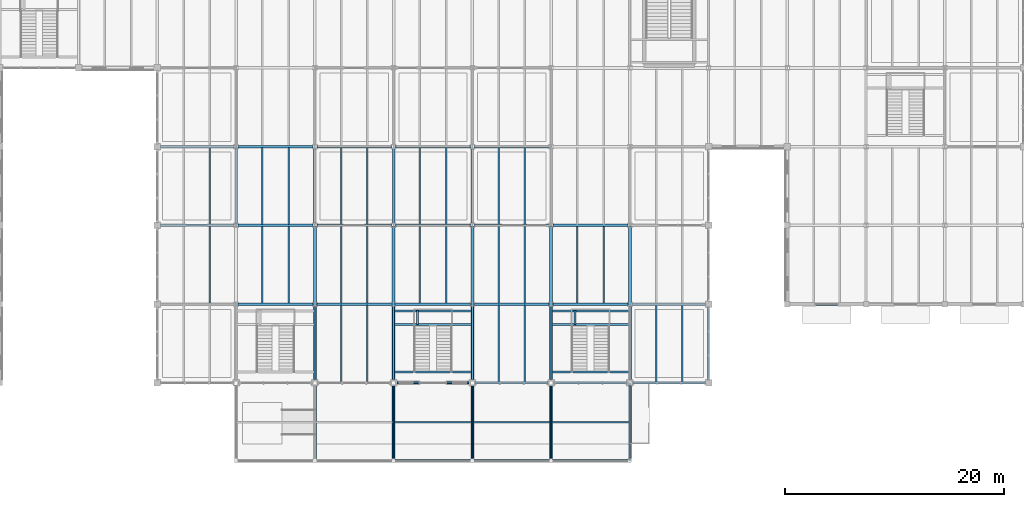
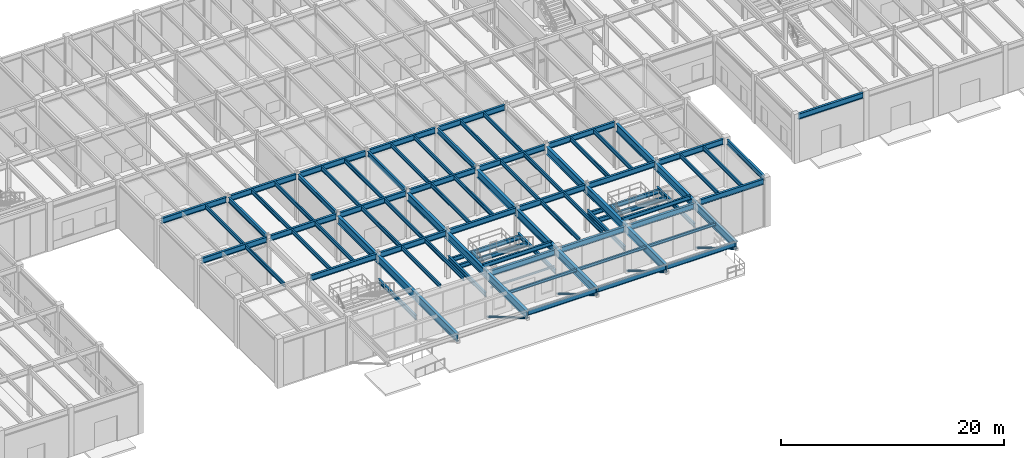
# One storey, part 21 of 97: 78 beams, 4 members.
"""IFC4 building model written with IfcOpenShell, lengths in metres."""

import ifcopenshell
import ifcopenshell.guid

model = None  # the IFC model being written
_history = None  # IfcOwnerHistory: only IFC2X3 demands one
_inside = {}  # id of a spatial element -> (the spatial element, [elements in it])
_under = {}  # id of a project, library or spatial element -> (it, [spatial elements below it])
_declared = {}  # id of a project -> (the project, [libraries it declares])
_typed = {}  # id of a type object -> (the type object, [elements of that type])
_made_of = {}  # id of a material, layer set ... -> (it, [elements and type objects made of it])


def new_model(schema):
    """Start an empty IFC model of exactly this schema.

    Asked for "IFC4X3", IfcOpenShell would pick the latest addendum, in which some entities
    have other attributes; the version numbers below select the first issue.
    IFC2X3 requires an IfcOwnerHistory on every rooted entity: one is made here for all.
    """
    global model, _history
    if schema == "IFC4X3":
        model = ifcopenshell.file(schema_version=(4, 3, 0, 0))
    else:
        model = ifcopenshell.file(schema=schema)
    _inside.clear()
    _under.clear()
    _declared.clear()
    _typed.clear()
    _made_of.clear()
    _history = None
    if model.schema == "IFC2X3":
        org = make("IfcOrganization", Name="unknown")
        user = make(
            "IfcPersonAndOrganization",
            ThePerson=make("IfcPerson", FamilyName="unknown"),
            TheOrganization=org,
        )
        app = make(
            "IfcApplication",
            ApplicationDeveloper=org,
            Version="unknown",
            ApplicationFullName="unknown",
            ApplicationIdentifier="unknown",
        )
        _history = make(
            "IfcOwnerHistory",
            OwningUser=user,
            OwningApplication=app,
            ChangeAction="ADDED",
            CreationDate=0,
        )
    return model


def make(cls, **values):
    """One entity of the class cls with the attributes given. An attribute that is None is left unset."""
    return model.create_entity(
        cls, **{name: value for name, value in values.items() if value is not None}
    )


def rooted(cls, **values):
    """An entity with a GlobalId (a new one), such as an element, a storey or a relation."""
    return make(cls, GlobalId=ifcopenshell.guid.new(), OwnerHistory=_history, **values)


def si_unit(unit_type, name, prefix=None):
    """IfcSIUnit, for example si_unit("LENGTHUNIT", "METRE", prefix="MILLI")."""
    return make("IfcSIUnit", UnitType=unit_type, Prefix=prefix, Name=name)


def assignment(units):
    """IfcUnitAssignment: the units of a project."""
    return None if units is None else make("IfcUnitAssignment", Units=units)


def point(xyz):
    """IfcCartesianPoint."""
    return None if xyz is None else make("IfcCartesianPoint", Coordinates=xyz)


def direction(xyz):
    """IfcDirection."""
    return None if xyz is None else make("IfcDirection", DirectionRatios=xyz)


def frame(location, z_axis=None, x_axis=None):
    """IfcAxis2Placement3D, a coordinate frame: its origin and axes. An axis left out is left unset."""
    return make(
        "IfcAxis2Placement3D",
        Location=point(location),
        Axis=direction(z_axis),
        RefDirection=direction(x_axis),
    )


def frame_2d(location, x_axis=None):
    """IfcAxis2Placement2D, a coordinate frame in the plane: its origin and x axis."""
    return make(
        "IfcAxis2Placement2D", Location=point(location), RefDirection=direction(x_axis)
    )


def origin():
    """The frame at (0, 0, 0) with its axes left unset."""
    return frame((0.0, 0.0, 0.0))


def origin_2d():
    """The frame at (0, 0) in the plane with its x axis left unset."""
    return frame_2d((0.0, 0.0))


def place(relative_to, where):
    """IfcLocalPlacement: puts the frame where relative to a parent placement (None: the world)."""
    return make(
        "IfcLocalPlacement", PlacementRelTo=relative_to, RelativePlacement=where
    )


def context(
    kind, dimensions, precision=None, world=None, true_north=None, identifier=None
):
    """IfcGeometricRepresentationContext, for example the 3D "Model" context."""
    return make(
        "IfcGeometricRepresentationContext",
        ContextIdentifier=identifier,
        ContextType=kind,
        CoordinateSpaceDimension=dimensions,
        Precision=precision,
        WorldCoordinateSystem=world,
        TrueNorth=true_north,
    )


def subcontext(parent, identifier, kind, view, scale=None):
    """IfcGeometricRepresentationSubContext, for example "Body" below "Model"."""
    return make(
        "IfcGeometricRepresentationSubContext",
        ContextIdentifier=identifier,
        ContextType=kind,
        ParentContext=parent,
        TargetScale=scale,
        TargetView=view,
    )


def project(units=None, contexts=None):
    """IfcProject with its units and contexts."""
    return rooted(
        "IfcProject",
        Name="project",
        RepresentationContexts=contexts,
        UnitsInContext=assignment(units),
    )


def spatial(cls, under=None, at=None, **own):
    """A site, building, storey or space (cls), placed at a placement, below another one or the project."""
    s = rooted(cls, ObjectPlacement=at, **own)
    if under is not None:
        _under.setdefault(under.id(), (under, []))[1].append(s)
    return s


def profile(cls, at=None, kind="AREA", **sizes):
    """A parametric profile (cls). Its sizes go by their IFC names, for example OverallWidth=200.0."""
    return make(cls, ProfileType=kind, Position=at, **sizes)


def hollow_circle(**sizes):
    """IfcCircleHollowProfileDef."""
    return profile("IfcCircleHollowProfileDef", **sizes)


def i_section(**sizes):
    """IfcIShapeProfileDef."""
    return profile("IfcIShapeProfileDef", **sizes)


def extrude(swept, where, along, depth):
    """IfcExtrudedAreaSolid: the profile swept, set in the frame where, extruded along a direction by depth."""
    return make(
        "IfcExtrudedAreaSolid",
        SweptArea=swept,
        Position=where,
        ExtrudedDirection=direction(along),
        Depth=depth,
    )


def shape(context_of_items, identifier, shape_type, items):
    """IfcShapeRepresentation: the items that make up one representation, for example the "Body"."""
    return make(
        "IfcShapeRepresentation",
        ContextOfItems=context_of_items,
        RepresentationIdentifier=identifier,
        RepresentationType=shape_type,
        Items=items,
    )


def material(Name=None, Category=None):
    """IfcMaterial."""
    return make("IfcMaterial", Name=Name, Category=Category)


def material_profile(
    of_material, cross_section, Name=None, Category=None, Priority=None
):
    """IfcMaterialProfile: a cross section and its material."""
    return make(
        "IfcMaterialProfile",
        Name=Name,
        Material=of_material,
        Profile=cross_section,
        Priority=Priority,
        Category=Category,
    )


def profile_set(profiles, Name=None, composite=None):
    """IfcMaterialProfileSet."""
    return make(
        "IfcMaterialProfileSet",
        Name=Name,
        MaterialProfiles=profiles,
        CompositeProfile=composite,
    )


def made_of(thing, what):
    """Note that an element or type object is made of a material, layer set ...; save() writes the relation."""
    if what is not None:
        _made_of.setdefault(what.id(), (what, []))[1].append(thing)
    return thing


def type_object(cls, material=None, **own):
    """A type object (cls), such as IfcWallType, which elements share."""
    return made_of(rooted(cls, **own), material)


def element(
    cls,
    number,
    at=None,
    inside=None,
    cuts=None,
    type_object=None,
    material=None,
    context=None,
    identifier="Body",
    shape_type=None,
    held_by="IfcProductDefinitionShape",
    body=None,
    shapes=None,
    **own,
):
    """One element of the class cls, such as IfcWall. Its Tag is "e" and its number.

    at: its placement. inside: the storey or other place that contains it. cuts: it is an
    opening in that element (IfcRelVoidsElement). A single representation is given by context,
    identifier, shape_type and body (its items); several are given by shapes. held_by: the class
    of the entity that holds the representations. save() writes the other relations.
    """
    e = rooted(cls, Tag="e%d" % number, ObjectPlacement=at, **own)
    if body is not None:
        shapes = [shape(context, identifier, shape_type, body)]
    if shapes is not None:
        e.Representation = make(held_by, Representations=shapes)
    if inside is not None:
        _inside.setdefault(inside.id(), (inside, []))[1].append(e)
    if cuts is not None:
        rooted(
            "IfcRelVoidsElement", RelatingBuildingElement=cuts, RelatedOpeningElement=e
        )
    if type_object is not None:
        _typed.setdefault(type_object.id(), (type_object, []))[1].append(e)
    return made_of(e, material)


def aggregate(whole, parts):
    """IfcRelAggregates: a whole, such as a stair, and the parts it consists of."""
    return rooted("IfcRelAggregates", RelatingObject=whole, RelatedObjects=parts)


def save(model, path):
    """Write the relations noted so far, then the file.

    IfcRelAggregates (storeys below a building ...), IfcRelContainedInSpatialStructure (elements
    in a storey), IfcRelDefinesByType, IfcRelAssociatesMaterial and IfcRelDeclares: one each for
    every whole, place, type object, material and project.
    """
    for whole, parts in _under.values():
        aggregate(whole, parts)
    for where, things in _inside.values():
        rooted(
            "IfcRelContainedInSpatialStructure",
            RelatedElements=things,
            RelatingStructure=where,
        )
    for kind, things in _typed.values():
        rooted("IfcRelDefinesByType", RelatedObjects=things, RelatingType=kind)
    for what, things in _made_of.values():
        rooted("IfcRelAssociatesMaterial", RelatedObjects=things, RelatingMaterial=what)
    for by, libraries in _declared.values():
        rooted("IfcRelDeclares", RelatingContext=by, RelatedDefinitions=libraries)
    model.write(path)


model = new_model("IFC4")

# Units and contexts
model_context = context("Model", 3, precision=1e-05, world=origin(), true_north=direction((0.0, 1.0)))
body_context = subcontext(model_context, "Body", "Model", "MODEL_VIEW")
ifc_project = project(units=[si_unit("LENGTHUNIT", "METRE"), si_unit("AREAUNIT", "SQUARE_METRE"), si_unit("VOLUMEUNIT", "CUBIC_METRE"), si_unit("PLANEANGLEUNIT", "RADIAN"), si_unit("MASSUNIT", "GRAM", prefix="KILO")], contexts=[model_context])

# Site, building, storey
site_placement = place(None, origin())
site = spatial("IfcSite", under=ifc_project, at=site_placement, CompositionType="ELEMENT")
building_placement = place(site_placement, origin())
building = spatial("IfcBuilding", under=site, at=building_placement, Name="Sillqori Civic Hall", CompositionType="ELEMENT")
storey_placement = place(building_placement, origin())
storey = spatial("IfcBuildingStorey", under=building, at=storey_placement, Name="L01", CompositionType="ELEMENT", Elevation=0.0)

# Beams
ifc_material_1 = material(Name="Steel ASTM A992", Category="steel")
ifc_material_profile_1 = material_profile(ifc_material_1, i_section(OverallWidth=0.19091796875, OverallDepth=0.4599609375, WebThickness=0.010009765625, FlangeThickness=0.01611328125, FilletRadius=0.012939453125, at=origin_2d()), Name="W18X55")
ifc_profile_set_1 = profile_set([ifc_material_profile_1], Name="Steel ASTM A992")
beam_type_1 = type_object("IfcBeamType", Name="BM-W18X55", PredefinedType="BEAM", material=ifc_profile_set_1)
for number, where, z_axis, x_axis, name in (
    (1, (79.199951171875, 7.493896484375, 2.27490234375), (0.0, 1.0, 0.0), (-1.0, 0.0, 0.0), "Wedge Hall South-West Grand Stair L01-L02 landing stringer girder E"),
    (2, (100.800048828125, 7.493896484375, 2.27490234375), (0.0, 1.0, 0.0), (-1.0, 0.0, 0.0), "Wedge Hall South-East Grand Stair L01-L02 landing stringer girder W"),
    (3, (108.0, 7.493896484375, 2.27490234375), (0.0, 1.0, 0.0), (-1.0, 0.0, 0.0), "Wedge Hall South-East Grand Stair L01-L02 landing stringer girder E"),
):
    element("IfcBeam", number, at=place(storey_placement, frame(where, z_axis=z_axis, x_axis=x_axis)), inside=storey, type_object=beam_type_1, Name=name, PredefinedType="BEAM", context=body_context, shape_type="SweptSolid", body=[
        extrude(i_section(OverallWidth=0.19091796875, OverallDepth=0.4599609375, WebThickness=0.010009765625, FlangeThickness=0.01611328125, FilletRadius=0.012939453125, at=origin_2d()), origin(), (0.0, 0.0, 1.0), 6.72412109375),
    ])
for number, where, z_axis, x_axis, name in (
    (4, (100.840087890625, 12.550048828125, 2.27490234375), (1.0, 0.0, 0.0), (0.0, 1.0, 0.0), "Wedge Hall South-East Grand Stair L01-L02 half-landing cross trimmer 1"),
    (5, (100.840087890625, 13.780029296875, 2.27490234375), (1.0, 0.0, 0.0), (0.0, 1.0, 0.0), "Wedge Hall South-East Grand Stair L01-L02 half-landing cross trimmer 2"),
):
    element("IfcBeam", number, at=place(storey_placement, frame(where, z_axis=z_axis, x_axis=x_axis)), inside=storey, type_object=beam_type_1, Name=name, PredefinedType="BEAM", context=body_context, shape_type="SweptSolid", body=[
        extrude(i_section(OverallWidth=0.19091796875, OverallDepth=0.4599609375, WebThickness=0.010009765625, FlangeThickness=0.01611328125, FilletRadius=0.012939453125, at=origin_2d()), origin(), (0.0, 0.0, 1.0), 7.119873046875),
    ])
beam_1_placement = place(storey_placement, frame((103.0, 12.52001953125, 2.27490234375), z_axis=(0.0, 1.0, 0.0), x_axis=(-1.0, 0.0, 0.0)))
element("IfcBeam", 6, at=beam_1_placement, inside=storey, type_object=beam_type_1, Name="Wedge Hall South-East Grand Stair L01-L02 half-landing spine rib", PredefinedType="BEAM", context=body_context, shape_type="SweptSolid", body=[
    extrude(i_section(OverallWidth=0.19091796875, OverallDepth=0.4599609375, WebThickness=0.010009765625, FlangeThickness=0.01611328125, FilletRadius=0.012939453125, at=origin_2d()), origin(), (0.0, 0.0, 1.0), 1.2900390625),
])
beam_2_placement = place(storey_placement, frame((100.840087890625, 8.199951171875, 4.97509765625), z_axis=(1.0, 0.0, 0.0), x_axis=(0.0, 1.0, 0.0)))
element("IfcBeam", 7, at=beam_2_placement, inside=storey, type_object=beam_type_1, Name="Wedge Hall South-East Grand Stair L01-L02 upper arrival trimmer beam", PredefinedType="BEAM", context=body_context, shape_type="SweptSolid", body=[
    extrude(i_section(OverallWidth=0.19091796875, OverallDepth=0.4599609375, WebThickness=0.010009765625, FlangeThickness=0.01611328125, FilletRadius=0.012939453125, at=origin_2d()), origin(), (0.0, 0.0, 1.0), 7.119873046875),
])
for number, where, z_axis, x_axis, name in (
    (8, (86.39990234375, 7.493896484375, 2.27490234375), (0.0, 1.0, 0.0), (-1.0, 0.0, 0.0), "Citizens Service Central Stair L01-L02 landing stringer girder W"),
    (9, (93.60009765625, 7.493896484375, 2.27490234375), (0.0, 1.0, 0.0), (-1.0, 0.0, 0.0), "Citizens Service Central Stair L01-L02 landing stringer girder E"),
):
    element("IfcBeam", number, at=place(storey_placement, frame(where, z_axis=z_axis, x_axis=x_axis)), inside=storey, type_object=beam_type_1, Name=name, PredefinedType="BEAM", context=body_context, shape_type="SweptSolid", body=[
        extrude(i_section(OverallWidth=0.19091796875, OverallDepth=0.4599609375, WebThickness=0.010009765625, FlangeThickness=0.01611328125, FilletRadius=0.012939453125, at=origin_2d()), origin(), (0.0, 0.0, 1.0), 6.72412109375),
    ])
for number, where, z_axis, x_axis, name in (
    (10, (86.43994140625, 12.550048828125, 2.27490234375), (1.0, 0.0, 0.0), (0.0, 1.0, 0.0), "Citizens Service Central Stair L01-L02 half-landing cross trimmer 1"),
    (11, (86.43994140625, 13.780029296875, 2.27490234375), (1.0, 0.0, 0.0), (0.0, 1.0, 0.0), "Citizens Service Central Stair L01-L02 half-landing cross trimmer 2"),
):
    element("IfcBeam", number, at=place(storey_placement, frame(where, z_axis=z_axis, x_axis=x_axis)), inside=storey, type_object=beam_type_1, Name=name, PredefinedType="BEAM", context=body_context, shape_type="SweptSolid", body=[
        extrude(i_section(OverallWidth=0.19091796875, OverallDepth=0.4599609375, WebThickness=0.010009765625, FlangeThickness=0.01611328125, FilletRadius=0.012939453125, at=origin_2d()), origin(), (0.0, 0.0, 1.0), 7.1201171875),
    ])
beam_3_placement = place(storey_placement, frame((88.60009765625, 12.52001953125, 2.27490234375), z_axis=(0.0, 1.0, 0.0), x_axis=(-1.0, 0.0, 0.0)))
element("IfcBeam", 12, at=beam_3_placement, inside=storey, type_object=beam_type_1, Name="Citizens Service Central Stair L01-L02 half-landing spine rib", PredefinedType="BEAM", context=body_context, shape_type="SweptSolid", body=[
    extrude(i_section(OverallWidth=0.19091796875, OverallDepth=0.4599609375, WebThickness=0.010009765625, FlangeThickness=0.01611328125, FilletRadius=0.012939453125, at=origin_2d()), origin(), (0.0, 0.0, 1.0), 1.2900390625),
])
beam_4_placement = place(storey_placement, frame((86.43994140625, 8.199951171875, 4.97509765625), z_axis=(1.0, 0.0, 0.0), x_axis=(0.0, 1.0, 0.0)))
element("IfcBeam", 13, at=beam_4_placement, inside=storey, type_object=beam_type_1, Name="Citizens Service Central Stair L01-L02 upper arrival trimmer beam", PredefinedType="BEAM", context=body_context, shape_type="SweptSolid", body=[
    extrude(i_section(OverallWidth=0.19091796875, OverallDepth=0.4599609375, WebThickness=0.010009765625, FlangeThickness=0.01611328125, FilletRadius=0.012939453125, at=origin_2d()), origin(), (0.0, 0.0, 1.0), 7.1201171875),
])
ifc_material_profile_2 = material_profile(ifc_material_1, i_section(OverallWidth=0.2099609375, OverallDepth=0.532958984375, WebThickness=0.01025390625, FlangeThickness=0.015625, FilletRadius=0.013916015625, at=origin_2d()), Name="W21X62")
ifc_profile_set_2 = profile_set([ifc_material_profile_2], Name="Steel ASTM A992")
beam_type_2 = type_object("IfcBeamType", Name="BM-W21X62", PredefinedType="BEAM", material=ifc_profile_set_2)
for number, where, z_axis, x_axis, name in (
    (14, (72.0, 21.781982421875, 4.93359375), (0.0, 1.0, 0.0), (-1.0, 0.0, 0.0), "L01 girder Y 10-3"),
    (15, (79.199951171875, 21.781982421875, 4.93359375), (0.0, 1.0, 0.0), (-1.0, 0.0, 0.0), "L01 girder Y 11-3"),
    (16, (86.39990234375, 21.781982421875, 4.93359375), (0.0, 1.0, 0.0), (-1.0, 0.0, 0.0), "L01 girder Y 12-3"),
    (17, (93.60009765625, 21.781982421875, 4.93359375), (0.0, 1.0, 0.0), (-1.0, 0.0, 0.0), "L01 girder Y 13-3"),
):
    element("IfcBeam", number, at=place(storey_placement, frame(where, z_axis=z_axis, x_axis=x_axis)), inside=storey, type_object=beam_type_2, Name=name, PredefinedType="BEAM", context=body_context, shape_type="SweptSolid", body=[
        extrude(i_section(OverallWidth=0.2099609375, OverallDepth=0.532958984375, WebThickness=0.01025390625, FlangeThickness=0.015625, FilletRadius=0.013916015625, at=origin_2d()), origin(), (0.0, 0.0, 1.0), 6.8359375),
    ])
beam_5_placement = place(storey_placement, frame((115.199951171875, 7.493896484375, 4.93359375), z_axis=(0.0, 1.0, 0.0), x_axis=(-1.0, 0.0, 0.0)))
element("IfcBeam", 18, at=beam_5_placement, inside=storey, type_object=beam_type_2, Name="L01 girder Y 16-1", PredefinedType="BEAM", context=body_context, shape_type="SweptSolid", body=[
    extrude(i_section(OverallWidth=0.2099609375, OverallDepth=0.532958984375, WebThickness=0.01025390625, FlangeThickness=0.015625, FilletRadius=0.013916015625, at=origin_2d()), origin(), (0.0, 0.0, 1.0), 6.612060546875),
])
ifc_material_profile_3 = material_profile(ifc_material_1, i_section(OverallWidth=0.22802734375, OverallDepth=0.60205078125, WebThickness=0.010498046875, FlangeThickness=0.014892578125, FilletRadius=0.014892578125, at=origin_2d()), Name="W24X68")
ifc_profile_set_3 = profile_set([ifc_material_profile_3], Name="Steel ASTM A992")
beam_type_3 = type_object("IfcBeamType", Name="BM-W24X68", PredefinedType="BEAM", material=ifc_profile_set_3)
for number, where, z_axis, x_axis, name in (
    (19, (65.093994140625, 21.60009765625, 4.89892578125), (1.0, 0.0, 0.0), (0.0, 1.0, 0.0), "L01 girder X 9-3"),
    (20, (65.093994140625, 28.800048828125, 4.89892578125), (1.0, 0.0, 0.0), (0.0, 1.0, 0.0), "L01 girder X 9-4"),
):
    element("IfcBeam", number, at=place(storey_placement, frame(where, z_axis=z_axis, x_axis=x_axis)), inside=storey, type_object=beam_type_3, Name=name, PredefinedType="BEAM", context=body_context, shape_type="SweptSolid", body=[
        extrude(i_section(OverallWidth=0.22802734375, OverallDepth=0.60205078125, WebThickness=0.010498046875, FlangeThickness=0.014892578125, FilletRadius=0.014892578125, at=origin_2d()), origin(), (0.0, 0.0, 1.0), 6.715087890625),
    ])
for number, where, z_axis, x_axis, name in (
    (21, (72.19091796875, 14.39990234375, 4.89892578125), (1.0, 0.0, 0.0), (0.0, 1.0, 0.0), "L01 girder X 10-2"),
    (22, (72.19091796875, 21.60009765625, 4.89892578125), (1.0, 0.0, 0.0), (0.0, 1.0, 0.0), "L01 girder X 10-3"),
    (23, (72.19091796875, 28.800048828125, 4.89892578125), (1.0, 0.0, 0.0), (0.0, 1.0, 0.0), "L01 girder X 10-4"),
):
    element("IfcBeam", number, at=place(storey_placement, frame(where, z_axis=z_axis, x_axis=x_axis)), inside=storey, type_object=beam_type_3, Name=name, PredefinedType="BEAM", context=body_context, shape_type="SweptSolid", body=[
        extrude(i_section(OverallWidth=0.22802734375, OverallDepth=0.60205078125, WebThickness=0.010498046875, FlangeThickness=0.014892578125, FilletRadius=0.014892578125, at=origin_2d()), origin(), (0.0, 0.0, 1.0), 6.818115234375),
    ])
for number, where, z_axis, x_axis, name in (
    (24, (79.39111328125, 14.39990234375, 4.89892578125), (1.0, 0.0, 0.0), (0.0, 1.0, 0.0), "L01 girder X 11-2"),
    (25, (79.39111328125, 21.60009765625, 4.89892578125), (1.0, 0.0, 0.0), (0.0, 1.0, 0.0), "L01 girder X 11-3"),
    (26, (79.39111328125, 28.800048828125, 4.89892578125), (1.0, 0.0, 0.0), (0.0, 1.0, 0.0), "L01 girder X 11-4"),
):
    element("IfcBeam", number, at=place(storey_placement, frame(where, z_axis=z_axis, x_axis=x_axis)), inside=storey, type_object=beam_type_3, Name=name, PredefinedType="BEAM", context=body_context, shape_type="SweptSolid", body=[
        extrude(i_section(OverallWidth=0.22802734375, OverallDepth=0.60205078125, WebThickness=0.010498046875, FlangeThickness=0.014892578125, FilletRadius=0.014892578125, at=origin_2d()), origin(), (0.0, 0.0, 1.0), 6.81787109375),
    ])
beam_6_placement = place(storey_placement, frame((86.694091796875, 7.199951171875, 4.718994140625), z_axis=(1.0, 0.0, 0.0), x_axis=(0.0, 1.0, 0.0)))
element("IfcBeam", 27, at=beam_6_placement, inside=storey, type_object=beam_type_3, Name="L01 girder X 12-1", PredefinedType="BEAM", context=body_context, shape_type="SweptSolid", body=[
    extrude(i_section(OverallWidth=0.22802734375, OverallDepth=0.60205078125, WebThickness=0.010498046875, FlangeThickness=0.014892578125, FilletRadius=0.014892578125, at=origin_2d()), origin(), (0.0, 0.0, 1.0), 6.61181640625),
])
for number, where, z_axis, x_axis, name in (
    (28, (86.591064453125, 14.39990234375, 4.89892578125), (1.0, 0.0, 0.0), (0.0, 1.0, 0.0), "L01 girder X 12-2"),
    (29, (86.591064453125, 21.60009765625, 4.89892578125), (1.0, 0.0, 0.0), (0.0, 1.0, 0.0), "L01 girder X 12-3"),
    (30, (86.591064453125, 28.800048828125, 4.89892578125), (1.0, 0.0, 0.0), (0.0, 1.0, 0.0), "L01 girder X 12-4"),
):
    element("IfcBeam", number, at=place(storey_placement, frame(where, z_axis=z_axis, x_axis=x_axis)), inside=storey, type_object=beam_type_3, Name=name, PredefinedType="BEAM", context=body_context, shape_type="SweptSolid", body=[
        extrude(i_section(OverallWidth=0.22802734375, OverallDepth=0.60205078125, WebThickness=0.010498046875, FlangeThickness=0.014892578125, FilletRadius=0.014892578125, at=origin_2d()), origin(), (0.0, 0.0, 1.0), 6.81787109375),
    ])
beam_7_placement = place(storey_placement, frame((93.89404296875, 7.199951171875, 4.718994140625), z_axis=(1.0, 0.0, 0.0), x_axis=(0.0, 1.0, 0.0)))
element("IfcBeam", 31, at=beam_7_placement, inside=storey, type_object=beam_type_3, Name="L01 girder X 13-1", PredefinedType="BEAM", context=body_context, shape_type="SweptSolid", body=[
    extrude(i_section(OverallWidth=0.22802734375, OverallDepth=0.60205078125, WebThickness=0.010498046875, FlangeThickness=0.014892578125, FilletRadius=0.014892578125, at=origin_2d()), origin(), (0.0, 0.0, 1.0), 6.612060546875),
])
for number, where, z_axis, x_axis, name in (
    (32, (93.791015625, 14.39990234375, 4.89892578125), (1.0, 0.0, 0.0), (0.0, 1.0, 0.0), "L01 girder X 13-2"),
    (33, (93.791015625, 21.60009765625, 4.89892578125), (1.0, 0.0, 0.0), (0.0, 1.0, 0.0), "L01 girder X 13-3"),
    (34, (93.791015625, 28.800048828125, 4.89892578125), (1.0, 0.0, 0.0), (0.0, 1.0, 0.0), "L01 girder X 13-4"),
):
    element("IfcBeam", number, at=place(storey_placement, frame(where, z_axis=z_axis, x_axis=x_axis)), inside=storey, type_object=beam_type_3, Name=name, PredefinedType="BEAM", context=body_context, shape_type="SweptSolid", body=[
        extrude(i_section(OverallWidth=0.22802734375, OverallDepth=0.60205078125, WebThickness=0.010498046875, FlangeThickness=0.014892578125, FilletRadius=0.014892578125, at=origin_2d()), origin(), (0.0, 0.0, 1.0), 6.81787109375),
    ])
beam_8_placement = place(storey_placement, frame((101.093994140625, 7.199951171875, 4.718994140625), z_axis=(1.0, 0.0, 0.0), x_axis=(0.0, 1.0, 0.0)))
element("IfcBeam", 35, at=beam_8_placement, inside=storey, type_object=beam_type_3, Name="L01 girder X 14-1", PredefinedType="BEAM", context=body_context, shape_type="SweptSolid", body=[
    extrude(i_section(OverallWidth=0.22802734375, OverallDepth=0.60205078125, WebThickness=0.010498046875, FlangeThickness=0.014892578125, FilletRadius=0.014892578125, at=origin_2d()), origin(), (0.0, 0.0, 1.0), 6.612060546875),
])
for number, where, z_axis, x_axis, name in (
    (36, (100.990966796875, 14.39990234375, 4.89892578125), (1.0, 0.0, 0.0), (0.0, 1.0, 0.0), "L01 girder X 14-2"),
    (37, (100.990966796875, 21.60009765625, 4.89892578125), (1.0, 0.0, 0.0), (0.0, 1.0, 0.0), "L01 girder X 14-3"),
):
    element("IfcBeam", number, at=place(storey_placement, frame(where, z_axis=z_axis, x_axis=x_axis)), inside=storey, type_object=beam_type_3, Name=name, PredefinedType="BEAM", context=body_context, shape_type="SweptSolid", body=[
        extrude(i_section(OverallWidth=0.22802734375, OverallDepth=0.60205078125, WebThickness=0.010498046875, FlangeThickness=0.014892578125, FilletRadius=0.014892578125, at=origin_2d()), origin(), (0.0, 0.0, 1.0), 6.818115234375),
    ])
beam_9_placement = place(storey_placement, frame((108.2939453125, 7.199951171875, 4.89892578125), z_axis=(1.0, 0.0, 0.0), x_axis=(0.0, 1.0, 0.0)))
element("IfcBeam", 38, at=beam_9_placement, inside=storey, type_object=beam_type_3, Name="L01 girder X 15-1", PredefinedType="BEAM", context=body_context, shape_type="SweptSolid", body=[
    extrude(i_section(OverallWidth=0.22802734375, OverallDepth=0.60205078125, WebThickness=0.010498046875, FlangeThickness=0.014892578125, FilletRadius=0.014892578125, at=origin_2d()), origin(), (0.0, 0.0, 1.0), 6.612060546875),
])
beam_10_placement = place(storey_placement, frame((108.19091796875, 14.39990234375, 4.89892578125), z_axis=(1.0, 0.0, 0.0), x_axis=(0.0, 1.0, 0.0)))
element("IfcBeam", 39, at=beam_10_placement, inside=storey, type_object=beam_type_3, Name="L01 girder X 15-2", PredefinedType="BEAM", context=body_context, shape_type="SweptSolid", body=[
    extrude(i_section(OverallWidth=0.22802734375, OverallDepth=0.60205078125, WebThickness=0.010498046875, FlangeThickness=0.014892578125, FilletRadius=0.014892578125, at=origin_2d()), origin(), (0.0, 0.0, 1.0), 6.715087890625),
])
beam_11_placement = place(storey_placement, frame((122.64404296875, 14.39990234375, 4.89892578125), z_axis=(1.0, 0.0, 0.0), x_axis=(0.0, 1.0, 0.0)))
element("IfcBeam", 40, at=beam_11_placement, inside=storey, type_object=beam_type_3, Name="L01 girder X 17-2", PredefinedType="BEAM", context=body_context, shape_type="SweptSolid", body=[
    extrude(i_section(OverallWidth=0.22802734375, OverallDepth=0.60205078125, WebThickness=0.010498046875, FlangeThickness=0.014892578125, FilletRadius=0.014892578125, at=origin_2d()), origin(), (0.0, 0.0, 1.0), 6.7119140625),
])
ifc_material_profile_4 = material_profile(ifc_material_1, i_section(OverallWidth=0.2919921875, OverallDepth=0.845947265625, WebThickness=0.015380859375, FlangeThickness=0.0244140625, FilletRadius=0.01806640625, at=origin_2d()), Name="W33X141")
ifc_profile_set_4 = profile_set([ifc_material_profile_4], Name="Steel ASTM A992")
beam_type_4 = type_object("IfcBeamType", Name="BM-W33X141", PredefinedType="BEAM", material=ifc_profile_set_4)
for number, where, z_axis, x_axis, name in (
    (41, (79.199951171875, 21.47998046875, 4.596923828125), (0.0, -1.0, 0.0), (1.0, 0.0, 0.0), "Entrance canopy back-spanned primary girder 11"),
    (42, (86.39990234375, 21.47998046875, 4.596923828125), (0.0, -1.0, 0.0), (1.0, 0.0, 0.0), "Entrance canopy back-spanned primary girder 12"),
    (43, (93.60009765625, 21.47998046875, 4.596923828125), (0.0, -1.0, 0.0), (1.0, 0.0, 0.0), "Entrance canopy back-spanned primary girder 13"),
    (44, (100.800048828125, 21.47998046875, 4.596923828125), (0.0, -1.0, 0.0), (1.0, 0.0, 0.0), "Entrance canopy back-spanned primary girder 14"),
    (45, (108.0, 21.47998046875, 4.596923828125), (0.0, -1.0, 0.0), (1.0, 0.0, 0.0), "Entrance canopy back-spanned primary girder 15"),
):
    element("IfcBeam", number, at=place(storey_placement, frame(where, z_axis=z_axis, x_axis=x_axis)), inside=storey, type_object=beam_type_4, Name=name, PredefinedType="BEAM", context=body_context, shape_type="SweptSolid", body=[
        extrude(i_section(OverallWidth=0.2919921875, OverallDepth=0.845947265625, WebThickness=0.015380859375, FlangeThickness=0.0244140625, FilletRadius=0.01806640625, at=origin_2d()), origin(), (0.0, 0.0, 1.0), 21.429931640625),
    ])
ifc_material_profile_5 = material_profile(ifc_material_1, i_section(OverallWidth=0.153076171875, OverallDepth=0.455078125, WebThickness=0.008056640625, FlangeThickness=0.01318359375, FilletRadius=0.012939453125, at=origin_2d()), Name="W18X40")
ifc_profile_set_5 = profile_set([ifc_material_profile_5], Name="Steel ASTM A992")
beam_type_5 = type_object("IfcBeamType", Name="JS-W18X40", PredefinedType="JOIST", material=ifc_profile_set_5)
beam_12_placement = place(storey_placement, frame((69.60009765625, 14.4951171875, 4.972412109375), z_axis=(0.0, 1.0, 0.0), x_axis=(-1.0, 0.0, 0.0)))
element("IfcBeam", 46, at=beam_12_placement, inside=storey, type_object=beam_type_5, Name="L01 composite joist 9-2.2", PredefinedType="JOIST", context=body_context, shape_type="SweptSolid", body=[
    extrude(i_section(OverallWidth=0.153076171875, OverallDepth=0.455078125, WebThickness=0.008056640625, FlangeThickness=0.01318359375, FilletRadius=0.012939453125, at=origin_2d()), origin(), (0.0, 0.0, 1.0), 7.009765625),
])
beam_13_placement = place(storey_placement, frame((69.60009765625, 21.695068359375, 4.972412109375), z_axis=(0.0, 1.0, 0.0), x_axis=(-1.0, 0.0, 0.0)))
element("IfcBeam", 47, at=beam_13_placement, inside=storey, type_object=beam_type_5, Name="L01 composite joist 9-3.2", PredefinedType="JOIST", context=body_context, shape_type="SweptSolid", body=[
    extrude(i_section(OverallWidth=0.153076171875, OverallDepth=0.455078125, WebThickness=0.008056640625, FlangeThickness=0.01318359375, FilletRadius=0.012939453125, at=origin_2d()), origin(), (0.0, 0.0, 1.0), 7.010009765625),
])
for number, where, z_axis, x_axis, name in (
    (48, (74.39990234375, 14.4951171875, 4.972412109375), (0.0, 1.0, 0.0), (-1.0, 0.0, 0.0), "L01 composite joist 10-2.1"),
    (49, (76.800048828125, 14.4951171875, 4.972412109375), (0.0, 1.0, 0.0), (-1.0, 0.0, 0.0), "L01 composite joist 10-2.2"),
):
    element("IfcBeam", number, at=place(storey_placement, frame(where, z_axis=z_axis, x_axis=x_axis)), inside=storey, type_object=beam_type_5, Name=name, PredefinedType="JOIST", context=body_context, shape_type="SweptSolid", body=[
        extrude(i_section(OverallWidth=0.153076171875, OverallDepth=0.455078125, WebThickness=0.008056640625, FlangeThickness=0.01318359375, FilletRadius=0.012939453125, at=origin_2d()), origin(), (0.0, 0.0, 1.0), 7.009765625),
    ])
for number, where, z_axis, x_axis, name in (
    (50, (74.39990234375, 21.695068359375, 4.972412109375), (0.0, 1.0, 0.0), (-1.0, 0.0, 0.0), "L01 composite joist 10-3.1"),
    (51, (76.800048828125, 21.695068359375, 4.972412109375), (0.0, 1.0, 0.0), (-1.0, 0.0, 0.0), "L01 composite joist 10-3.2"),
    (52, (81.60009765625, 7.294921875, 4.972412109375), (0.0, 1.0, 0.0), (-1.0, 0.0, 0.0), "L01 composite joist 11-1.1"),
    (53, (84.0, 7.294921875, 4.972412109375), (0.0, 1.0, 0.0), (-1.0, 0.0, 0.0), "L01 composite joist 11-1.2"),
):
    element("IfcBeam", number, at=place(storey_placement, frame(where, z_axis=z_axis, x_axis=x_axis)), inside=storey, type_object=beam_type_5, Name=name, PredefinedType="JOIST", context=body_context, shape_type="SweptSolid", body=[
        extrude(i_section(OverallWidth=0.153076171875, OverallDepth=0.455078125, WebThickness=0.008056640625, FlangeThickness=0.01318359375, FilletRadius=0.012939453125, at=origin_2d()), origin(), (0.0, 0.0, 1.0), 7.010009765625),
    ])
for number, where, z_axis, x_axis, name in (
    (54, (81.60009765625, 14.4951171875, 4.972412109375), (0.0, 1.0, 0.0), (-1.0, 0.0, 0.0), "L01 composite joist 11-2.1"),
    (55, (84.0, 14.4951171875, 4.972412109375), (0.0, 1.0, 0.0), (-1.0, 0.0, 0.0), "L01 composite joist 11-2.2"),
):
    element("IfcBeam", number, at=place(storey_placement, frame(where, z_axis=z_axis, x_axis=x_axis)), inside=storey, type_object=beam_type_5, Name=name, PredefinedType="JOIST", context=body_context, shape_type="SweptSolid", body=[
        extrude(i_section(OverallWidth=0.153076171875, OverallDepth=0.455078125, WebThickness=0.008056640625, FlangeThickness=0.01318359375, FilletRadius=0.012939453125, at=origin_2d()), origin(), (0.0, 0.0, 1.0), 7.009765625),
    ])
for number, where, z_axis, x_axis, name in (
    (56, (81.60009765625, 21.695068359375, 4.972412109375), (0.0, 1.0, 0.0), (-1.0, 0.0, 0.0), "L01 composite joist 11-3.1"),
    (57, (84.0, 21.695068359375, 4.972412109375), (0.0, 1.0, 0.0), (-1.0, 0.0, 0.0), "L01 composite joist 11-3.2"),
):
    element("IfcBeam", number, at=place(storey_placement, frame(where, z_axis=z_axis, x_axis=x_axis)), inside=storey, type_object=beam_type_5, Name=name, PredefinedType="JOIST", context=body_context, shape_type="SweptSolid", body=[
        extrude(i_section(OverallWidth=0.153076171875, OverallDepth=0.455078125, WebThickness=0.008056640625, FlangeThickness=0.01318359375, FilletRadius=0.012939453125, at=origin_2d()), origin(), (0.0, 0.0, 1.0), 7.010009765625),
    ])
for number, where, z_axis, x_axis, name in (
    (58, (88.800048828125, 14.4951171875, 4.972412109375), (0.0, 1.0, 0.0), (-1.0, 0.0, 0.0), "L01 composite joist 12-2.1"),
    (59, (91.199951171875, 14.4951171875, 4.972412109375), (0.0, 1.0, 0.0), (-1.0, 0.0, 0.0), "L01 composite joist 12-2.2"),
):
    element("IfcBeam", number, at=place(storey_placement, frame(where, z_axis=z_axis, x_axis=x_axis)), inside=storey, type_object=beam_type_5, Name=name, PredefinedType="JOIST", context=body_context, shape_type="SweptSolid", body=[
        extrude(i_section(OverallWidth=0.153076171875, OverallDepth=0.455078125, WebThickness=0.008056640625, FlangeThickness=0.01318359375, FilletRadius=0.012939453125, at=origin_2d()), origin(), (0.0, 0.0, 1.0), 7.009765625),
    ])
for number, where, z_axis, x_axis, name in (
    (60, (88.800048828125, 21.695068359375, 4.972412109375), (0.0, 1.0, 0.0), (-1.0, 0.0, 0.0), "L01 composite joist 12-3.1"),
    (61, (91.199951171875, 21.695068359375, 4.972412109375), (0.0, 1.0, 0.0), (-1.0, 0.0, 0.0), "L01 composite joist 12-3.2"),
    (62, (96.0, 7.294921875, 4.972412109375), (0.0, 1.0, 0.0), (-1.0, 0.0, 0.0), "L01 composite joist 13-1.1"),
    (63, (98.39990234375, 7.294921875, 4.972412109375), (0.0, 1.0, 0.0), (-1.0, 0.0, 0.0), "L01 composite joist 13-1.2"),
):
    element("IfcBeam", number, at=place(storey_placement, frame(where, z_axis=z_axis, x_axis=x_axis)), inside=storey, type_object=beam_type_5, Name=name, PredefinedType="JOIST", context=body_context, shape_type="SweptSolid", body=[
        extrude(i_section(OverallWidth=0.153076171875, OverallDepth=0.455078125, WebThickness=0.008056640625, FlangeThickness=0.01318359375, FilletRadius=0.012939453125, at=origin_2d()), origin(), (0.0, 0.0, 1.0), 7.010009765625),
    ])
for number, where, z_axis, x_axis, name in (
    (64, (96.0, 14.4951171875, 4.972412109375), (0.0, 1.0, 0.0), (-1.0, 0.0, 0.0), "L01 composite joist 13-2.1"),
    (65, (98.39990234375, 14.4951171875, 4.972412109375), (0.0, 1.0, 0.0), (-1.0, 0.0, 0.0), "L01 composite joist 13-2.2"),
):
    element("IfcBeam", number, at=place(storey_placement, frame(where, z_axis=z_axis, x_axis=x_axis)), inside=storey, type_object=beam_type_5, Name=name, PredefinedType="JOIST", context=body_context, shape_type="SweptSolid", body=[
        extrude(i_section(OverallWidth=0.153076171875, OverallDepth=0.455078125, WebThickness=0.008056640625, FlangeThickness=0.01318359375, FilletRadius=0.012939453125, at=origin_2d()), origin(), (0.0, 0.0, 1.0), 7.009765625),
    ])
for number, where, z_axis, x_axis, name in (
    (66, (96.0, 21.695068359375, 4.972412109375), (0.0, 1.0, 0.0), (-1.0, 0.0, 0.0), "L01 composite joist 13-3.1"),
    (67, (98.39990234375, 21.695068359375, 4.972412109375), (0.0, 1.0, 0.0), (-1.0, 0.0, 0.0), "L01 composite joist 13-3.2"),
):
    element("IfcBeam", number, at=place(storey_placement, frame(where, z_axis=z_axis, x_axis=x_axis)), inside=storey, type_object=beam_type_5, Name=name, PredefinedType="JOIST", context=body_context, shape_type="SweptSolid", body=[
        extrude(i_section(OverallWidth=0.153076171875, OverallDepth=0.455078125, WebThickness=0.008056640625, FlangeThickness=0.01318359375, FilletRadius=0.012939453125, at=origin_2d()), origin(), (0.0, 0.0, 1.0), 7.010009765625),
    ])
for number, where, z_axis, x_axis, name in (
    (68, (103.199951171875, 14.4951171875, 4.972412109375), (0.0, 1.0, 0.0), (-1.0, 0.0, 0.0), "L01 composite joist 14-2.1"),
    (69, (105.60009765625, 14.4951171875, 4.972412109375), (0.0, 1.0, 0.0), (-1.0, 0.0, 0.0), "L01 composite joist 14-2.2"),
):
    element("IfcBeam", number, at=place(storey_placement, frame(where, z_axis=z_axis, x_axis=x_axis)), inside=storey, type_object=beam_type_5, Name=name, PredefinedType="JOIST", context=body_context, shape_type="SweptSolid", body=[
        extrude(i_section(OverallWidth=0.153076171875, OverallDepth=0.455078125, WebThickness=0.008056640625, FlangeThickness=0.01318359375, FilletRadius=0.012939453125, at=origin_2d()), origin(), (0.0, 0.0, 1.0), 7.009765625),
    ])
for number, where, z_axis, x_axis, name in (
    (70, (110.39990234375, 7.294921875, 4.972412109375), (0.0, 1.0, 0.0), (-1.0, 0.0, 0.0), "L01 composite joist 15-1.1"),
    (71, (112.800048828125, 7.294921875, 4.972412109375), (0.0, 1.0, 0.0), (-1.0, 0.0, 0.0), "L01 composite joist 15-1.2"),
):
    element("IfcBeam", number, at=place(storey_placement, frame(where, z_axis=z_axis, x_axis=x_axis)), inside=storey, type_object=beam_type_5, Name=name, PredefinedType="JOIST", context=body_context, shape_type="SweptSolid", body=[
        extrude(i_section(OverallWidth=0.153076171875, OverallDepth=0.455078125, WebThickness=0.008056640625, FlangeThickness=0.01318359375, FilletRadius=0.012939453125, at=origin_2d()), origin(), (0.0, 0.0, 1.0), 7.010009765625),
    ])
ifc_material_profile_6 = material_profile(ifc_material_1, i_section(OverallWidth=0.133056640625, OverallDepth=0.20703125, WebThickness=0.005859375, FlangeThickness=0.00830078125, FilletRadius=0.008056640625, at=origin_2d()), Name="W8X18")
ifc_profile_set_6 = profile_set([ifc_material_profile_6], Name="Steel ASTM A992")
beam_type_6 = type_object("IfcBeamType", Name="LN-W8X18", PredefinedType="LINTEL", material=ifc_profile_set_6)
beam_14_placement = place(storey_placement, frame((86.694091796875, 7.199951171875, 3.14990234375), z_axis=(1.0, 0.0, 0.0), x_axis=(0.0, 1.0, 0.0)))
element("IfcBeam", 72, at=beam_14_placement, inside=storey, type_object=beam_type_6, Name="Main civic portal E steel lintel", PredefinedType="LINTEL", context=body_context, shape_type="SweptSolid", body=[
    extrude(i_section(OverallWidth=0.133056640625, OverallDepth=0.20703125, WebThickness=0.005859375, FlangeThickness=0.00830078125, FilletRadius=0.008056640625, at=origin_2d()), origin(), (0.0, 0.0, 1.0), 6.61181640625),
])
ifc_material_profile_7 = material_profile(ifc_material_1, i_section(OverallWidth=0.1650390625, OverallDepth=0.31005859375, WebThickness=0.005859375, FlangeThickness=0.009765625, FilletRadius=0.010009765625, at=origin_2d()), Name="W12X26")
ifc_profile_set_7 = profile_set([ifc_material_profile_7], Name="Steel ASTM A992")
beam_type_7 = type_object("IfcBeamType", Name="PR-W12X26", PredefinedType="JOIST", material=ifc_profile_set_7)
for number, where, z_axis, x_axis, name in (
    (73, (86.5, 3.60009765625, 4.864990234375), (1.0, 0.0, 0.0), (0.0, 1.0, 0.0), "Entrance canopy secondary coffer beam 12"),
    (74, (93.699951171875, 3.60009765625, 4.864990234375), (1.0, 0.0, 0.0), (0.0, 1.0, 0.0), "Entrance canopy secondary coffer beam 13"),
    (75, (100.89990234375, 3.60009765625, 4.864990234375), (1.0, 0.0, 0.0), (0.0, 1.0, 0.0), "Entrance canopy secondary coffer beam 14"),
):
    element("IfcBeam", number, at=place(storey_placement, frame(where, z_axis=z_axis, x_axis=x_axis)), inside=storey, type_object=beam_type_7, Name=name, PredefinedType="JOIST", context=body_context, shape_type="SweptSolid", body=[
        extrude(i_section(OverallWidth=0.1650390625, OverallDepth=0.31005859375, WebThickness=0.005859375, FlangeThickness=0.009765625, FilletRadius=0.010009765625, at=origin_2d()), origin(), (0.0, 0.0, 1.0), 7.0),
    ])
ifc_material_profile_8 = material_profile(ifc_material_1, i_section(OverallWidth=0.166015625, OverallDepth=0.528076171875, WebThickness=0.009765625, FlangeThickness=0.013671875, FilletRadius=0.013916015625, at=origin_2d()), Name="W21X50")
ifc_profile_set_8 = profile_set([ifc_material_profile_8], Name="Steel ASTM A992")
beam_type_8 = type_object("IfcBeamType", Name="SP-W21X50", PredefinedType="SPANDREL", material=ifc_profile_set_8)
for number, where, z_axis, x_axis, name in (
    (76, (86.5, 0.1201171875, 4.756103515625), (1.0, 0.0, 0.0), (0.0, 1.0, 0.0), "Entrance canopy fascia edge beam 12"),
    (77, (93.699951171875, 0.1201171875, 4.756103515625), (1.0, 0.0, 0.0), (0.0, 1.0, 0.0), "Entrance canopy fascia edge beam 13"),
    (78, (100.89990234375, 0.1201171875, 4.756103515625), (1.0, 0.0, 0.0), (0.0, 1.0, 0.0), "Entrance canopy fascia edge beam 14"),
):
    element("IfcBeam", number, at=place(storey_placement, frame(where, z_axis=z_axis, x_axis=x_axis)), inside=storey, type_object=beam_type_8, Name=name, PredefinedType="SPANDREL", context=body_context, shape_type="SweptSolid", body=[
        extrude(i_section(OverallWidth=0.166015625, OverallDepth=0.528076171875, WebThickness=0.009765625, FlangeThickness=0.013671875, FilletRadius=0.013916015625, at=origin_2d()), origin(), (0.0, 0.0, 1.0), 7.0),
    ])

# Members
ifc_material_2 = material(Name="Steel ASTM A500 Grade C", Category="steel")
ifc_material_profile_9 = material_profile(ifc_material_2, hollow_circle(Radius=0.109619140625, WallThickness=0.011962890625, at=origin_2d()), Name="CHS219X12")
ifc_profile_set_9 = profile_set([ifc_material_profile_9], Name="Steel ASTM A500 Grade C")
member_type = type_object("IfcMemberType", Name="ST-CHS219", PredefinedType="STRUT", material=ifc_profile_set_9)
for number, where, z_axis, x_axis, name in (
    (79, (86.39990234375, 7.199951171875, 0.050048828125), (0.0, -0.861963249941, 0.506970764198), (1.0, 0.0, 0.0), "Entrance canopy raking strut 12"),
    (80, (93.60009765625, 7.199951171875, 0.050048828125), (0.0, -0.861963249941, 0.506970764198), (1.0, 0.0, 0.0), "Entrance canopy raking strut 13"),
    (81, (100.800048828125, 7.199951171875, 0.050048828125), (0.0, -0.861963249941, 0.506970764198), (1.0, 0.0, 0.0), "Entrance canopy raking strut 14"),
    (82, (108.0, 7.199951171875, 0.050048828125), (0.0, -0.861963249941, 0.506970764198), (1.0, 0.0, 0.0), "Entrance canopy raking strut 15"),
):
    element("IfcMember", number, at=place(storey_placement, frame(where, z_axis=z_axis, x_axis=x_axis)), inside=storey, type_object=member_type, Name=name, PredefinedType="STRUT", context=body_context, shape_type="SweptSolid", body=[
        extrude(hollow_circle(Radius=0.109619140625, WallThickness=0.011962890625, at=origin_2d()), origin(), (0.0, 0.0, 1.0), 8.213623046875),
    ])

save(model, "model.ifc")
